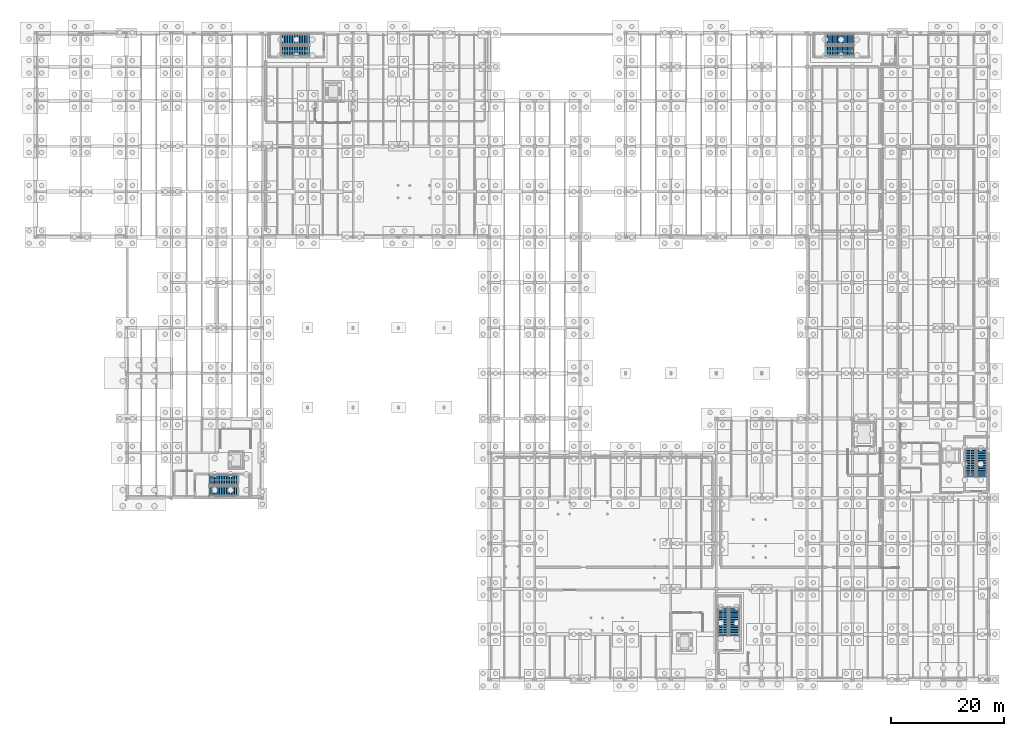
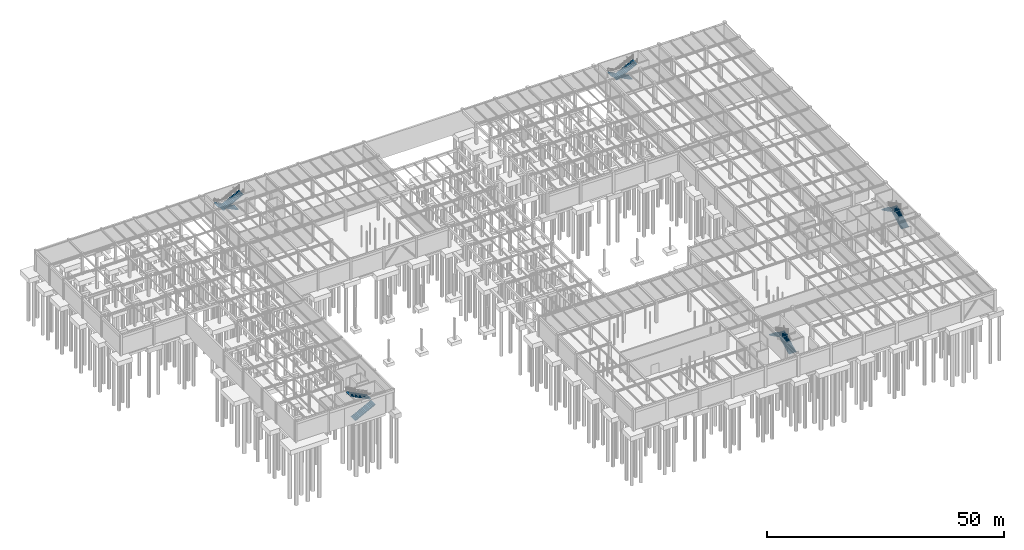
# One storey, part 59 of 71: 10 stair flights, 5 elements without a shape of their own.
"""IFC4 building model written with IfcOpenShell, lengths in metres."""

from ifc_helpers import new_model, si_unit, direction, frame, origin, place, context, subcontext, project, spatial, polyline, outline, extrude, material, type_object, element, aggregate, save


model = new_model("IFC4")

# Units and contexts
model_context = context("Model", 3, precision=1e-05, world=origin(), true_north=direction((0.0, 1.0)))
body_context = subcontext(model_context, "Body", "Model", "MODEL_VIEW")
ifc_project = project(units=[si_unit("LENGTHUNIT", "METRE"), si_unit("AREAUNIT", "SQUARE_METRE"), si_unit("VOLUMEUNIT", "CUBIC_METRE"), si_unit("PLANEANGLEUNIT", "RADIAN"), si_unit("MASSUNIT", "GRAM", prefix="KILO")], contexts=[model_context])

# Site, building, storey
site_placement = place(None, origin())
site = spatial("IfcSite", under=ifc_project, at=site_placement, CompositionType="ELEMENT")
building_placement = place(site_placement, origin())
building = spatial("IfcBuilding", under=site, at=building_placement, Name="Sundkrona Museum", CompositionType="ELEMENT")
storey_placement = place(building_placement, frame((0.0, 0.0, -5.39990234375)))
storey = spatial("IfcBuildingStorey", under=building, at=storey_placement, Name="B1", CompositionType="ELEMENT", Elevation=-5.39990234375)

# Stair, stair flights
ifc_material = material(Name="Concrete C35/45", Category="concrete")
stair_type = type_object("IfcStairType", Name="ST-DL-540", PredefinedType="HALF_TURN_STAIR", material=ifc_material)
stair_1_placement = place(storey_placement, origin())
stair_1 = element("IfcStair", 1, at=stair_1_placement, inside=storey, type_object=stair_type, Name="B1 Protected Stair Core ST-1", PredefinedType="HALF_TURN_STAIR")
stair_flight_type = type_object("IfcStairFlightType", Name="SF-180-270", PredefinedType="STRAIGHT", material=ifc_material)
stair_flight_1_placement = place(storey_placement, frame((166.800048828125, 35.699951171875, 0.0), z_axis=(0.0, 0.0, 1.0), x_axis=(0.0, 1.0, 0.0)))
stair_flight_1 = element("IfcStairFlight", 2, at=stair_flight_1_placement, type_object=stair_flight_type, Name="B1 Protected Stair Core ST-1 Flight 1", NumberOfRisers=18, NumberOfTreads=17, PredefinedType="STRAIGHT", RiserHeight=0.15, TreadLength=0.295, context=body_context, shape_type="SweptSolid", body=[
    extrude(outline(polyline([(0.0, 0.0), (0.0, 0.14990234375), (0.294921875, 0.14990234375), (0.294921875, 0.300048828125), (0.590087890625, 0.300048828125), (0.590087890625, 0.449951171875), (0.885009765625, 0.449951171875), (0.885009765625, 0.60009765625), (1.179931640625, 0.60009765625), (1.179931640625, 0.75), (1.47509765625, 0.75), (1.47509765625, 0.89990234375), (1.77001953125, 0.89990234375), (1.77001953125, 1.050048828125), (2.06494140625, 1.050048828125), (2.06494140625, 1.199951171875), (2.360107421875, 1.199951171875), (2.360107421875, 1.35009765625), (2.655029296875, 1.35009765625), (2.655029296875, 1.5), (2.949951171875, 1.5), (2.949951171875, 1.64990234375), (3.2451171875, 1.64990234375), (3.2451171875, 1.800048828125), (3.5400390625, 1.800048828125), (3.5400390625, 1.949951171875), (3.8349609375, 1.949951171875), (3.8349609375, 2.10009765625), (4.1298828125, 2.10009765625), (4.1298828125, 2.25), (4.425048828125, 2.25), (4.425048828125, 2.39990234375), (4.719970703125, 2.39990234375), (4.719970703125, 2.550048828125), (5.014892578125, 2.550048828125), (5.014892578125, 2.699951171875), (5.014892578125, 2.37060546875), (0.352783203125, 0.0), (0.0, 0.0)])), frame((0.0, 0.89990234375, 0.0), z_axis=(0.0, -1.0, 0.0), x_axis=(1.0, 0.0, 0.0)), (0.0, 0.0, 1.0), 1.800048828125),
])
stair_flight_2_placement = place(storey_placement, frame((164.800048828125, 40.715087890625, 2.699951171875), z_axis=(0.0, 0.0, 1.0), x_axis=(0.0, -1.0, 0.0)))
stair_flight_2 = element("IfcStairFlight", 3, at=stair_flight_2_placement, type_object=stair_flight_type, Name="B1 Protected Stair Core ST-1 Flight 2", NumberOfRisers=18, NumberOfTreads=17, PredefinedType="STRAIGHT", RiserHeight=0.15, TreadLength=0.295, context=body_context, shape_type="SweptSolid", body=[
    extrude(outline(polyline([(0.0, 0.0), (0.0, 0.14990234375), (0.294921875, 0.14990234375), (0.294921875, 0.300048828125), (0.590087890625, 0.300048828125), (0.590087890625, 0.449951171875), (0.885009765625, 0.449951171875), (0.885009765625, 0.60009765625), (1.179931640625, 0.60009765625), (1.179931640625, 0.75), (1.47509765625, 0.75), (1.47509765625, 0.89990234375), (1.77001953125, 0.89990234375), (1.77001953125, 1.050048828125), (2.06494140625, 1.050048828125), (2.06494140625, 1.199951171875), (2.360107421875, 1.199951171875), (2.360107421875, 1.35009765625), (2.655029296875, 1.35009765625), (2.655029296875, 1.5), (2.949951171875, 1.5), (2.949951171875, 1.64990234375), (3.2451171875, 1.64990234375), (3.2451171875, 1.800048828125), (3.5400390625, 1.800048828125), (3.5400390625, 1.949951171875), (3.8349609375, 1.949951171875), (3.8349609375, 2.10009765625), (4.1298828125, 2.10009765625), (4.1298828125, 2.25), (4.425048828125, 2.25), (4.425048828125, 2.39990234375), (4.719970703125, 2.39990234375), (4.719970703125, 2.550048828125), (5.014892578125, 2.550048828125), (5.014892578125, 2.699951171875), (5.014892578125, 2.37060546875), (0.352783203125, 0.0), (0.0, 0.0)])), frame((0.0, 0.89990234375, 0.0), z_axis=(0.0, -1.0, 0.0), x_axis=(1.0, 0.0, 0.0)), (0.0, 0.0, 1.0), 1.800048828125),
])
aggregate(stair_1, [stair_flight_1, stair_flight_2])

stair_2_placement = place(storey_placement, origin())
stair_2 = element("IfcStair", 4, at=stair_2_placement, inside=storey, type_object=stair_type, Name="B1 Protected Stair Core ST-2", PredefinedType="HALF_TURN_STAIR")
stair_flight_3_placement = place(storey_placement, frame((123.199951171875, 7.699951171875, 0.0), z_axis=(0.0, 0.0, 1.0), x_axis=(0.0, 1.0, 0.0)))
stair_flight_3 = element("IfcStairFlight", 5, at=stair_flight_3_placement, type_object=stair_flight_type, Name="B1 Protected Stair Core ST-2 Flight 1", NumberOfRisers=18, NumberOfTreads=17, PredefinedType="STRAIGHT", RiserHeight=0.15, TreadLength=0.295, context=body_context, shape_type="SweptSolid", body=[
    extrude(outline(polyline([(0.0, 0.0), (0.0, 0.14990234375), (0.294921875, 0.14990234375), (0.294921875, 0.300048828125), (0.590087890625, 0.300048828125), (0.590087890625, 0.449951171875), (0.885009765625, 0.449951171875), (0.885009765625, 0.60009765625), (1.179931640625, 0.60009765625), (1.179931640625, 0.75), (1.47509765625, 0.75), (1.47509765625, 0.89990234375), (1.77001953125, 0.89990234375), (1.77001953125, 1.050048828125), (2.06494140625, 1.050048828125), (2.06494140625, 1.199951171875), (2.360107421875, 1.199951171875), (2.360107421875, 1.35009765625), (2.655029296875, 1.35009765625), (2.655029296875, 1.5), (2.949951171875, 1.5), (2.949951171875, 1.64990234375), (3.2451171875, 1.64990234375), (3.2451171875, 1.800048828125), (3.5400390625, 1.800048828125), (3.5400390625, 1.949951171875), (3.8349609375, 1.949951171875), (3.8349609375, 2.10009765625), (4.1298828125, 2.10009765625), (4.1298828125, 2.25), (4.425048828125, 2.25), (4.425048828125, 2.39990234375), (4.719970703125, 2.39990234375), (4.719970703125, 2.550048828125), (5.014892578125, 2.550048828125), (5.014892578125, 2.699951171875), (5.014892578125, 2.37060546875), (0.352783203125, 0.0), (0.0, 0.0)])), frame((0.0, 0.89990234375, 0.0), z_axis=(0.0, -1.0, 0.0), x_axis=(1.0, 0.0, 0.0)), (0.0, 0.0, 1.0), 1.800048828125),
])
stair_flight_4_placement = place(storey_placement, frame((121.199951171875, 12.715087890625, 2.699951171875), z_axis=(0.0, 0.0, 1.0), x_axis=(0.0, -1.0, 0.0)))
stair_flight_4 = element("IfcStairFlight", 6, at=stair_flight_4_placement, type_object=stair_flight_type, Name="B1 Protected Stair Core ST-2 Flight 2", NumberOfRisers=18, NumberOfTreads=17, PredefinedType="STRAIGHT", RiserHeight=0.15, TreadLength=0.295, context=body_context, shape_type="SweptSolid", body=[
    extrude(outline(polyline([(0.0, 0.0), (0.0, 0.14990234375), (0.294921875, 0.14990234375), (0.294921875, 0.300048828125), (0.590087890625, 0.300048828125), (0.590087890625, 0.449951171875), (0.885009765625, 0.449951171875), (0.885009765625, 0.60009765625), (1.179931640625, 0.60009765625), (1.179931640625, 0.75), (1.47509765625, 0.75), (1.47509765625, 0.89990234375), (1.77001953125, 0.89990234375), (1.77001953125, 1.050048828125), (2.06494140625, 1.050048828125), (2.06494140625, 1.199951171875), (2.360107421875, 1.199951171875), (2.360107421875, 1.35009765625), (2.655029296875, 1.35009765625), (2.655029296875, 1.5), (2.949951171875, 1.5), (2.949951171875, 1.64990234375), (3.2451171875, 1.64990234375), (3.2451171875, 1.800048828125), (3.5400390625, 1.800048828125), (3.5400390625, 1.949951171875), (3.8349609375, 1.949951171875), (3.8349609375, 2.10009765625), (4.1298828125, 2.10009765625), (4.1298828125, 2.25), (4.425048828125, 2.25), (4.425048828125, 2.39990234375), (4.719970703125, 2.39990234375), (4.719970703125, 2.550048828125), (5.014892578125, 2.550048828125), (5.014892578125, 2.699951171875), (5.014892578125, 2.37060546875), (0.352783203125, 0.0), (0.0, 0.0)])), frame((0.0, 0.89990234375, 0.0), z_axis=(0.0, -1.0, 0.0), x_axis=(1.0, 0.0, 0.0)), (0.0, 0.0, 1.0), 1.800048828125),
])
aggregate(stair_2, [stair_flight_3, stair_flight_4])

stair_3_placement = place(storey_placement, origin())
stair_3 = element("IfcStair", 7, at=stair_3_placement, inside=storey, type_object=stair_type, Name="B1 Protected Stair Core ST-3", PredefinedType="HALF_TURN_STAIR")
stair_flight_5_placement = place(storey_placement, frame((48.300048828125, 112.800048828125, 0.0), z_axis=(0.0, 0.0, 1.0), x_axis=(-1.0, 0.0, 0.0)))
stair_flight_5 = element("IfcStairFlight", 8, at=stair_flight_5_placement, type_object=stair_flight_type, Name="B1 Protected Stair Core ST-3 Flight 1", NumberOfRisers=18, NumberOfTreads=17, PredefinedType="STRAIGHT", RiserHeight=0.15, TreadLength=0.295, context=body_context, shape_type="SweptSolid", body=[
    extrude(outline(polyline([(0.0, 0.0), (0.0, 0.14990234375), (0.294921875, 0.14990234375), (0.294921875, 0.300048828125), (0.590087890625, 0.300048828125), (0.590087890625, 0.449951171875), (0.885009765625, 0.449951171875), (0.885009765625, 0.60009765625), (1.179931640625, 0.60009765625), (1.179931640625, 0.75), (1.47509765625, 0.75), (1.47509765625, 0.89990234375), (1.77001953125, 0.89990234375), (1.77001953125, 1.050048828125), (2.06494140625, 1.050048828125), (2.06494140625, 1.199951171875), (2.360107421875, 1.199951171875), (2.360107421875, 1.35009765625), (2.655029296875, 1.35009765625), (2.655029296875, 1.5), (2.949951171875, 1.5), (2.949951171875, 1.64990234375), (3.2451171875, 1.64990234375), (3.2451171875, 1.800048828125), (3.5400390625, 1.800048828125), (3.5400390625, 1.949951171875), (3.8349609375, 1.949951171875), (3.8349609375, 2.10009765625), (4.1298828125, 2.10009765625), (4.1298828125, 2.25), (4.425048828125, 2.25), (4.425048828125, 2.39990234375), (4.719970703125, 2.39990234375), (4.719970703125, 2.550048828125), (5.014892578125, 2.550048828125), (5.014892578125, 2.699951171875), (5.014892578125, 2.37060546875), (0.352783203125, 0.0), (0.0, 0.0)])), frame((0.0, 0.89990234375, 0.0), z_axis=(0.0, -1.0, 0.0), x_axis=(1.0, 0.0, 0.0)), (0.0, 0.0, 1.0), 1.800048828125),
])
stair_flight_6_placement = place(storey_placement, frame((43.284912109375, 110.800048828125, 2.699951171875), z_axis=(0.0, 0.0, 1.0), x_axis=(1.0, 0.0, 0.0)))
stair_flight_6 = element("IfcStairFlight", 9, at=stair_flight_6_placement, type_object=stair_flight_type, Name="B1 Protected Stair Core ST-3 Flight 2", NumberOfRisers=18, NumberOfTreads=17, PredefinedType="STRAIGHT", RiserHeight=0.15, TreadLength=0.295, context=body_context, shape_type="SweptSolid", body=[
    extrude(outline(polyline([(0.0, 0.0), (0.0, 0.14990234375), (0.294921875, 0.14990234375), (0.294921875, 0.300048828125), (0.590087890625, 0.300048828125), (0.590087890625, 0.449951171875), (0.885009765625, 0.449951171875), (0.885009765625, 0.60009765625), (1.179931640625, 0.60009765625), (1.179931640625, 0.75), (1.47509765625, 0.75), (1.47509765625, 0.89990234375), (1.77001953125, 0.89990234375), (1.77001953125, 1.050048828125), (2.06494140625, 1.050048828125), (2.06494140625, 1.199951171875), (2.360107421875, 1.199951171875), (2.360107421875, 1.35009765625), (2.655029296875, 1.35009765625), (2.655029296875, 1.5), (2.949951171875, 1.5), (2.949951171875, 1.64990234375), (3.2451171875, 1.64990234375), (3.2451171875, 1.800048828125), (3.5400390625, 1.800048828125), (3.5400390625, 1.949951171875), (3.8349609375, 1.949951171875), (3.8349609375, 2.10009765625), (4.1298828125, 2.10009765625), (4.1298828125, 2.25), (4.425048828125, 2.25), (4.425048828125, 2.39990234375), (4.719970703125, 2.39990234375), (4.719970703125, 2.550048828125), (5.014892578125, 2.550048828125), (5.014892578125, 2.699951171875), (5.014892578125, 2.37060546875), (0.352783203125, 0.0), (0.0, 0.0)])), frame((0.0, 0.89990234375, 0.0), z_axis=(0.0, -1.0, 0.0), x_axis=(1.0, 0.0, 0.0)), (0.0, 0.0, 1.0), 1.800048828125),
])
aggregate(stair_3, [stair_flight_5, stair_flight_6])

stair_4_placement = place(storey_placement, origin())
stair_4 = element("IfcStair", 10, at=stair_4_placement, inside=storey, type_object=stair_type, Name="B1 Protected Stair Core ST-4", PredefinedType="HALF_TURN_STAIR")
stair_flight_7_placement = place(storey_placement, frame((30.699951171875, 33.199951171875, 0.0), z_axis=(0.0, 0.0, 1.0), x_axis=(1.0, 0.0, 0.0)))
stair_flight_7 = element("IfcStairFlight", 11, at=stair_flight_7_placement, type_object=stair_flight_type, Name="B1 Protected Stair Core ST-4 Flight 1", NumberOfRisers=18, NumberOfTreads=17, PredefinedType="STRAIGHT", RiserHeight=0.15, TreadLength=0.295, context=body_context, shape_type="SweptSolid", body=[
    extrude(outline(polyline([(0.0, 0.0), (0.0, 0.14990234375), (0.294921875, 0.14990234375), (0.294921875, 0.300048828125), (0.590087890625, 0.300048828125), (0.590087890625, 0.449951171875), (0.885009765625, 0.449951171875), (0.885009765625, 0.60009765625), (1.179931640625, 0.60009765625), (1.179931640625, 0.75), (1.47509765625, 0.75), (1.47509765625, 0.89990234375), (1.77001953125, 0.89990234375), (1.77001953125, 1.050048828125), (2.06494140625, 1.050048828125), (2.06494140625, 1.199951171875), (2.360107421875, 1.199951171875), (2.360107421875, 1.35009765625), (2.655029296875, 1.35009765625), (2.655029296875, 1.5), (2.949951171875, 1.5), (2.949951171875, 1.64990234375), (3.2451171875, 1.64990234375), (3.2451171875, 1.800048828125), (3.5400390625, 1.800048828125), (3.5400390625, 1.949951171875), (3.8349609375, 1.949951171875), (3.8349609375, 2.10009765625), (4.1298828125, 2.10009765625), (4.1298828125, 2.25), (4.425048828125, 2.25), (4.425048828125, 2.39990234375), (4.719970703125, 2.39990234375), (4.719970703125, 2.550048828125), (5.014892578125, 2.550048828125), (5.014892578125, 2.699951171875), (5.014892578125, 2.37060546875), (0.352783203125, 0.0), (0.0, 0.0)])), frame((0.0, 0.89990234375, 0.0), z_axis=(0.0, -1.0, 0.0), x_axis=(1.0, 0.0, 0.0)), (0.0, 0.0, 1.0), 1.800048828125),
])
stair_flight_8_placement = place(storey_placement, frame((35.715087890625, 35.199951171875, 2.699951171875), z_axis=(0.0, 0.0, 1.0), x_axis=(-1.0, 0.0, 0.0)))
stair_flight_8 = element("IfcStairFlight", 12, at=stair_flight_8_placement, type_object=stair_flight_type, Name="B1 Protected Stair Core ST-4 Flight 2", NumberOfRisers=18, NumberOfTreads=17, PredefinedType="STRAIGHT", RiserHeight=0.15, TreadLength=0.295, context=body_context, shape_type="SweptSolid", body=[
    extrude(outline(polyline([(0.0, 0.0), (0.0, 0.14990234375), (0.294921875, 0.14990234375), (0.294921875, 0.300048828125), (0.590087890625, 0.300048828125), (0.590087890625, 0.449951171875), (0.885009765625, 0.449951171875), (0.885009765625, 0.60009765625), (1.179931640625, 0.60009765625), (1.179931640625, 0.75), (1.47509765625, 0.75), (1.47509765625, 0.89990234375), (1.77001953125, 0.89990234375), (1.77001953125, 1.050048828125), (2.06494140625, 1.050048828125), (2.06494140625, 1.199951171875), (2.360107421875, 1.199951171875), (2.360107421875, 1.35009765625), (2.655029296875, 1.35009765625), (2.655029296875, 1.5), (2.949951171875, 1.5), (2.949951171875, 1.64990234375), (3.2451171875, 1.64990234375), (3.2451171875, 1.800048828125), (3.5400390625, 1.800048828125), (3.5400390625, 1.949951171875), (3.8349609375, 1.949951171875), (3.8349609375, 2.10009765625), (4.1298828125, 2.10009765625), (4.1298828125, 2.25), (4.425048828125, 2.25), (4.425048828125, 2.39990234375), (4.719970703125, 2.39990234375), (4.719970703125, 2.550048828125), (5.014892578125, 2.550048828125), (5.014892578125, 2.699951171875), (5.014892578125, 2.37060546875), (0.352783203125, 0.0), (0.0, 0.0)])), frame((0.0, 0.89990234375, 0.0), z_axis=(0.0, -1.0, 0.0), x_axis=(1.0, 0.0, 0.0)), (0.0, 0.0, 1.0), 1.800048828125),
])
aggregate(stair_4, [stair_flight_7, stair_flight_8])

stair_5_placement = place(storey_placement, origin())
stair_5 = element("IfcStair", 13, at=stair_5_placement, inside=storey, type_object=stair_type, Name="B1 Protected Stair Core ST-5", PredefinedType="HALF_TURN_STAIR")
stair_flight_9_placement = place(storey_placement, frame((144.300048828125, 112.800048828125, 0.0), z_axis=(0.0, 0.0, 1.0), x_axis=(-1.0, 0.0, 0.0)))
stair_flight_9 = element("IfcStairFlight", 14, at=stair_flight_9_placement, type_object=stair_flight_type, Name="B1 Protected Stair Core ST-5 Flight 1", NumberOfRisers=18, NumberOfTreads=17, PredefinedType="STRAIGHT", RiserHeight=0.15, TreadLength=0.295, context=body_context, shape_type="SweptSolid", body=[
    extrude(outline(polyline([(0.0, 0.0), (0.0, 0.14990234375), (0.294921875, 0.14990234375), (0.294921875, 0.300048828125), (0.590087890625, 0.300048828125), (0.590087890625, 0.449951171875), (0.885009765625, 0.449951171875), (0.885009765625, 0.60009765625), (1.179931640625, 0.60009765625), (1.179931640625, 0.75), (1.47509765625, 0.75), (1.47509765625, 0.89990234375), (1.77001953125, 0.89990234375), (1.77001953125, 1.050048828125), (2.06494140625, 1.050048828125), (2.06494140625, 1.199951171875), (2.360107421875, 1.199951171875), (2.360107421875, 1.35009765625), (2.655029296875, 1.35009765625), (2.655029296875, 1.5), (2.949951171875, 1.5), (2.949951171875, 1.64990234375), (3.2451171875, 1.64990234375), (3.2451171875, 1.800048828125), (3.5400390625, 1.800048828125), (3.5400390625, 1.949951171875), (3.8349609375, 1.949951171875), (3.8349609375, 2.10009765625), (4.1298828125, 2.10009765625), (4.1298828125, 2.25), (4.425048828125, 2.25), (4.425048828125, 2.39990234375), (4.719970703125, 2.39990234375), (4.719970703125, 2.550048828125), (5.014892578125, 2.550048828125), (5.014892578125, 2.699951171875), (5.014892578125, 2.37060546875), (0.352783203125, 0.0), (0.0, 0.0)])), frame((0.0, 0.89990234375, 0.0), z_axis=(0.0, -1.0, 0.0), x_axis=(1.0, 0.0, 0.0)), (0.0, 0.0, 1.0), 1.800048828125),
])
stair_flight_10_placement = place(storey_placement, frame((139.284912109375, 110.800048828125, 2.699951171875), z_axis=(0.0, 0.0, 1.0), x_axis=(1.0, 0.0, 0.0)))
stair_flight_10 = element("IfcStairFlight", 15, at=stair_flight_10_placement, type_object=stair_flight_type, Name="B1 Protected Stair Core ST-5 Flight 2", NumberOfRisers=18, NumberOfTreads=17, PredefinedType="STRAIGHT", RiserHeight=0.15, TreadLength=0.295, context=body_context, shape_type="SweptSolid", body=[
    extrude(outline(polyline([(0.0, 0.0), (0.0, 0.14990234375), (0.294921875, 0.14990234375), (0.294921875, 0.300048828125), (0.590087890625, 0.300048828125), (0.590087890625, 0.449951171875), (0.885009765625, 0.449951171875), (0.885009765625, 0.60009765625), (1.179931640625, 0.60009765625), (1.179931640625, 0.75), (1.47509765625, 0.75), (1.47509765625, 0.89990234375), (1.77001953125, 0.89990234375), (1.77001953125, 1.050048828125), (2.06494140625, 1.050048828125), (2.06494140625, 1.199951171875), (2.360107421875, 1.199951171875), (2.360107421875, 1.35009765625), (2.655029296875, 1.35009765625), (2.655029296875, 1.5), (2.949951171875, 1.5), (2.949951171875, 1.64990234375), (3.2451171875, 1.64990234375), (3.2451171875, 1.800048828125), (3.5400390625, 1.800048828125), (3.5400390625, 1.949951171875), (3.8349609375, 1.949951171875), (3.8349609375, 2.10009765625), (4.1298828125, 2.10009765625), (4.1298828125, 2.25), (4.425048828125, 2.25), (4.425048828125, 2.39990234375), (4.719970703125, 2.39990234375), (4.719970703125, 2.550048828125), (5.014892578125, 2.550048828125), (5.014892578125, 2.699951171875), (5.014892578125, 2.37060546875), (0.352783203125, 0.0), (0.0, 0.0)])), frame((0.0, 0.89990234375, 0.0), z_axis=(0.0, -1.0, 0.0), x_axis=(1.0, 0.0, 0.0)), (0.0, 0.0, 1.0), 1.800048828125),
])
aggregate(stair_5, [stair_flight_9, stair_flight_10])

save(model, "model.ifc")
